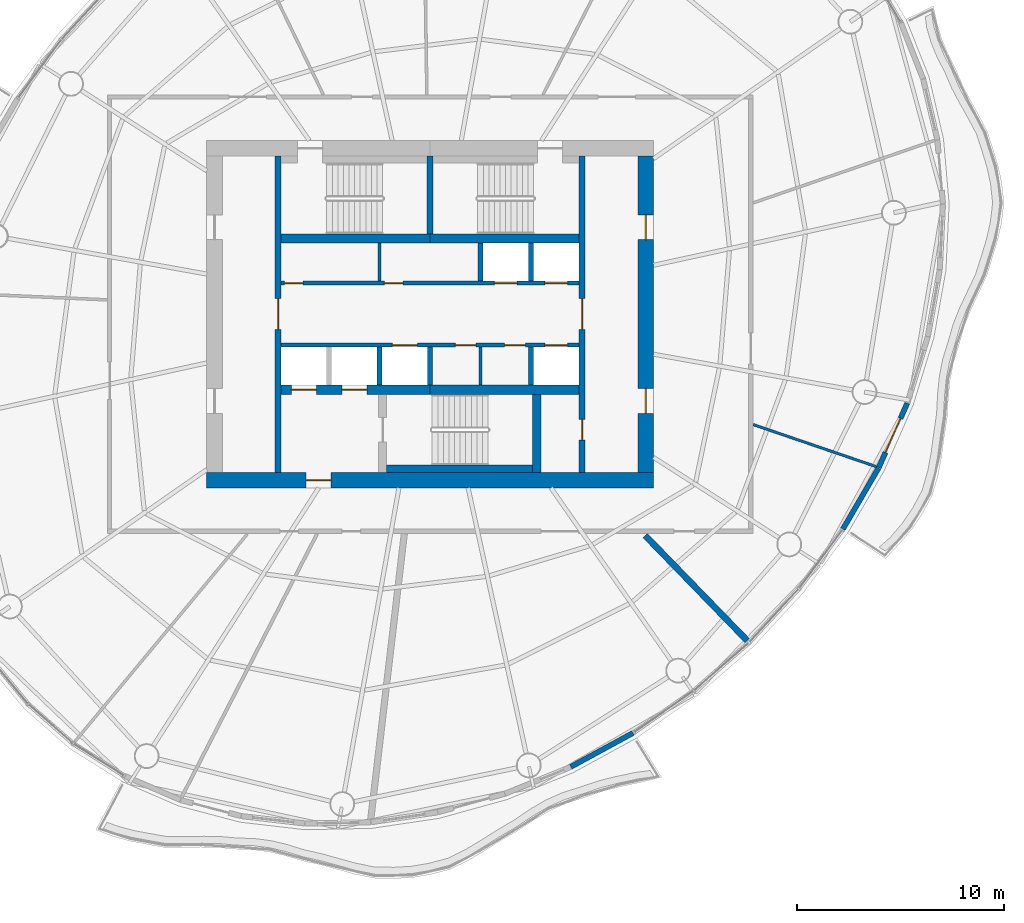
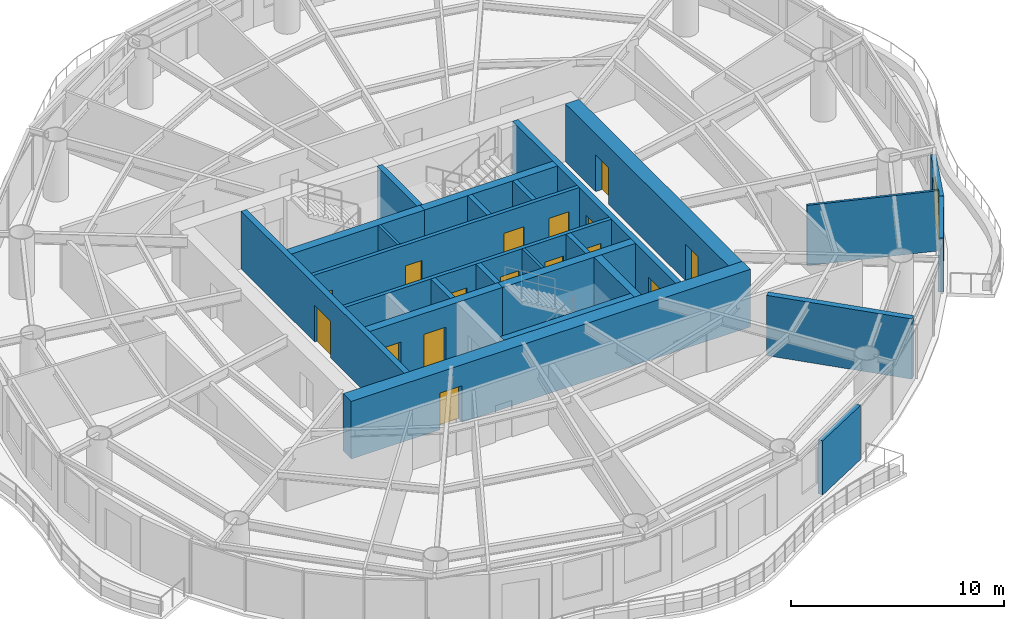
# One storey, part 9 of 14: 25 walls, 17 doors, 17 openings.
"""IFC4 building model written with IfcOpenShell, lengths in metres."""

from ifc_helpers import new_model, si_unit, direction, frame, frame_2d, origin, place, context, subcontext, project, spatial, rectangle, extrude, material, layer, layer_set, type_object, element, fill, save


model = new_model("IFC4")

# Units and contexts
model_context = context("Model", 3, precision=1e-05, world=origin(), true_north=direction((0.0, 1.0)))
body_context = subcontext(model_context, "Body", "Model", "MODEL_VIEW")
ifc_project = project(units=[si_unit("LENGTHUNIT", "METRE"), si_unit("AREAUNIT", "SQUARE_METRE"), si_unit("VOLUMEUNIT", "CUBIC_METRE"), si_unit("PLANEANGLEUNIT", "RADIAN"), si_unit("MASSUNIT", "GRAM", prefix="KILO")], contexts=[model_context])

# Site, building, storey
site_placement = place(None, origin())
site = spatial("IfcSite", under=ifc_project, at=site_placement, CompositionType="ELEMENT")
building_placement = place(site_placement, origin())
building = spatial("IfcBuilding", under=site, at=building_placement, Name="Vermilion Reach Broadcast Tower", CompositionType="ELEMENT")
storey_placement = place(building_placement, frame((0.0, 0.0, 210.10009765625)))
storey = spatial("IfcBuildingStorey", under=building, at=storey_placement, Name="L51", CompositionType="ELEMENT", Elevation=210.10009765625)

# Wall, opening, door
ifc_material_1 = material(Name="Concrete C60", Category="concrete")
ifc_layer_1 = layer(ifc_material_1, 0.300048828125)
ifc_layer_set_1 = layer_set([ifc_layer_1], Name="Core inner wall 300 mm Concrete C60")
wall_type_1 = type_object("IfcWallType", Name="Core inner wall 300 mm Concrete C60", PredefinedType="SHEAR", material=ifc_layer_set_1)
wall_1_placement = place(storey_placement, frame((-13.35009765625, 7.64990234375, 0.0), z_axis=(0.0, 0.0, 1.0), x_axis=(0.0, -1.0, 0.0)))
wall_1 = element("IfcWall", 1, at=wall_1_placement, inside=storey, type_object=wall_type_1, Name="L51 core wall ewW", PredefinedType="SHEAR", context=body_context, shape_type="SweptSolid", body=[
    extrude(rectangle(XDim=15.2998046875, YDim=0.300048828125, at=frame_2d((7.64990234375, 0.0))), origin(), (0.0, 0.0, 1.0), 3.2998046875),
])
opening_1_placement = place(wall_1_placement, frame((6.89990234375, 0.0, 0.0)))
opening_1 = element("IfcOpeningElement", 2, at=opening_1_placement, cuts=wall_1, Name="Opening D04", PredefinedType="OPENING", context=body_context, shape_type="SweptSolid", body=[
    extrude(rectangle(XDim=1.5, YDim=2.10009765625, at=frame_2d((0.75, 1.050048828125))), frame((0.0, 0.159912109375, 0.0), z_axis=(0.0, -1.0, 0.0), x_axis=(1.0, 0.0, 0.0)), (0.0, 0.0, 1.0), 0.320068359375),
])
ifc_material_2 = material(Name="Painted steel fire door", Category="steel")
door_type_1 = type_object("IfcDoorType", Name="Lift lobby door 1500 x 2100", OperationType="DOUBLE_DOOR_SINGLE_SWING", PredefinedType="NOTDEFINED", material=ifc_material_2)
door_1_placement = place(opening_1_placement, origin())
door_1 = element("IfcDoor", 3, at=door_1_placement, inside=storey, type_object=door_type_1, Name="L51 band door BW", OperationType="DOUBLE_DOOR_SINGLE_SWING", OverallHeight=2.10009765625, OverallWidth=1.5, PredefinedType="NOTDEFINED", context=body_context, shape_type="SweptSolid", body=[
    extrude(rectangle(XDim=1.5, YDim=2.10009765625, at=frame_2d((0.75, 1.050048828125))), frame((0.0, 0.02490234375, 0.0), z_axis=(0.0, -1.0, 0.0), x_axis=(1.0, 0.0, 0.0)), (0.0, 0.0, 1.0), 0.050048828125),
])
fill(opening_1, door_1)

# Wall, openings, doors
wall_2_placement = place(storey_placement, frame((1.35009765625, -7.64990234375, 0.0), z_axis=(0.0, 0.0, 1.0), x_axis=(0.0, 1.0, 0.0)))
wall_2 = element("IfcWall", 4, at=wall_2_placement, inside=storey, type_object=wall_type_1, Name="L51 core wall ewE", PredefinedType="SHEAR", context=body_context, shape_type="SweptSolid", body=[
    extrude(rectangle(XDim=15.2998046875, YDim=0.300048828125, at=frame_2d((7.64990234375, 0.0))), origin(), (0.0, 0.0, 1.0), 3.2998046875),
])
opening_2_placement = place(wall_2_placement, frame((1.56005859375, 0.0, 0.0)))
opening_2 = element("IfcOpeningElement", 5, at=opening_2_placement, cuts=wall_2, Name="Opening D05", PredefinedType="OPENING", context=body_context, shape_type="SweptSolid", body=[
    extrude(rectangle(XDim=1.0, YDim=2.10009765625, at=frame_2d((0.5, 1.050048828125))), frame((0.0, 0.159912109375, 0.0), z_axis=(0.0, -1.0, 0.0), x_axis=(1.0, 0.0, 0.0)), (0.0, 0.0, 1.0), 0.320068359375),
])
opening_3_placement = place(wall_2_placement, frame((6.89990234375, 0.0, 0.0)))
opening_3 = element("IfcOpeningElement", 6, at=opening_3_placement, cuts=wall_2, Name="Opening D04", PredefinedType="OPENING", context=body_context, shape_type="SweptSolid", body=[
    extrude(rectangle(XDim=1.5, YDim=2.10009765625, at=frame_2d((0.75, 1.050048828125))), frame((0.0, 0.159912109375, 0.0), z_axis=(0.0, -1.0, 0.0), x_axis=(1.0, 0.0, 0.0)), (0.0, 0.0, 1.0), 0.320068359375),
])
door_2_placement = place(opening_3_placement, origin())
door_2 = element("IfcDoor", 7, at=door_2_placement, inside=storey, type_object=door_type_1, Name="L51 band door BE", OperationType="DOUBLE_DOOR_SINGLE_SWING", OverallHeight=2.10009765625, OverallWidth=1.5, PredefinedType="NOTDEFINED", context=body_context, shape_type="SweptSolid", body=[
    extrude(rectangle(XDim=1.5, YDim=2.10009765625, at=frame_2d((0.75, 1.050048828125))), frame((0.0, 0.02490234375, 0.0), z_axis=(0.0, -1.0, 0.0), x_axis=(1.0, 0.0, 0.0)), (0.0, 0.0, 1.0), 0.050048828125),
])
fill(opening_3, door_2)
ifc_material_3 = material(Name="Timber door", Category="wood")
door_type_2 = type_object("IfcDoorType", Name="Room door 1000 x 2100", OperationType="NOTDEFINED", PredefinedType="NOTDEFINED", material=ifc_material_3)
door_3_placement = place(opening_2_placement, origin())
door_3 = element("IfcDoor", 8, at=door_3_placement, inside=storey, type_object=door_type_2, Name="L51 door SER", OperationType="SINGLE_SWING_LEFT", OverallHeight=2.10009765625, OverallWidth=1.0, PredefinedType="NOTDEFINED", context=body_context, shape_type="SweptSolid", body=[
    extrude(rectangle(XDim=1.0, YDim=2.10009765625, at=frame_2d((0.5, 1.050048828125))), frame((0.0, 0.02490234375, 0.0), z_axis=(0.0, -1.0, 0.0), x_axis=(1.0, 0.0, 0.0)), (0.0, 0.0, 1.0), 0.050048828125),
])
fill(opening_2, door_3)

# Walls
wall_3_placement = place(storey_placement, frame((-6.0, 3.8798828125, 0.0), z_axis=(0.0, 0.0, 1.0), x_axis=(0.0, 1.0, 0.0)))
element("IfcWall", 9, at=wall_3_placement, inside=storey, type_object=wall_type_1, Name="L51 core wall wc", PredefinedType="SHEAR", context=body_context, shape_type="SweptSolid", body=[
    extrude(rectangle(XDim=3.77001953125, YDim=0.300048828125, at=frame_2d((1.885009765625, 0.0))), origin(), (0.0, 0.0, 1.0), 3.2998046875),
])
ifc_material_4 = material(Name="Concrete C60", Category="concrete")
ifc_layer_2 = layer(ifc_material_4, 0.39990234375)
ifc_layer_set_2 = layer_set([ifc_layer_2], Name="Core inner wall 400 mm Concrete C60")
wall_type_2 = type_object("IfcWallType", Name="Core inner wall 400 mm Concrete C60", PredefinedType="SHEAR", material=ifc_layer_set_2)
wall_4_placement = place(storey_placement, frame((-0.85009765625, -3.8798828125, 0.0), z_axis=(0.0, 0.0, 1.0), x_axis=(0.0, -1.0, 0.0)))
element("IfcWall", 10, at=wall_4_placement, inside=storey, type_object=wall_type_2, Name="L51 core wall wb", PredefinedType="SHEAR", context=body_context, shape_type="SweptSolid", body=[
    extrude(rectangle(XDim=3.77001953125, YDim=0.39990234375, at=frame_2d((1.885009765625, 0.0))), origin(), (0.0, 0.0, 1.0), 3.2998046875),
])
ifc_material_5 = material(Name="Concrete C60", Category="concrete")
ifc_layer_3 = layer(ifc_material_5, 0.449951171875)
ifc_layer_set_3 = layer_set([ifc_layer_3], Name="Core inner wall 450 mm Concrete C60")
wall_type_3 = type_object("IfcWallType", Name="Core inner wall 450 mm Concrete C60", PredefinedType="SHEAR", material=ifc_layer_set_3)
for number, where, z_axis, x_axis, name in (
    (11, (-13.199951171875, 3.655029296875, 0.0), (0.0, 0.0, 1.0), (1.0, 0.0, 0.0), "L51 core wall winW"),
    (12, (-6.0, 3.655029296875, 0.0), (0.0, 0.0, 1.0), (1.0, 0.0, 0.0), "L51 core wall winE"),
):
    element("IfcWall", number, at=place(storey_placement, frame(where, z_axis=z_axis, x_axis=x_axis)), inside=storey, type_object=wall_type_3, Name=name, PredefinedType="SHEAR", context=body_context, shape_type="SweptSolid", body=[
        extrude(rectangle(XDim=7.199951171875, YDim=0.449951171875, at=frame_2d((3.60009765625, 0.0))), origin(), (0.0, 0.0, 1.0), 3.2998046875),
    ])

# Wall, openings, doors
wall_5_placement = place(storey_placement, frame((-13.199951171875, -3.655029296875, 0.0), z_axis=(0.0, 0.0, 1.0), x_axis=(1.0, 0.0, 0.0)))
wall_5 = element("IfcWall", 13, at=wall_5_placement, inside=storey, type_object=wall_type_3, Name="L51 core wall wisW", PredefinedType="SHEAR", context=body_context, shape_type="SweptSolid", body=[
    extrude(rectangle(XDim=7.199951171875, YDim=0.449951171875, at=frame_2d((3.60009765625, 0.0))), origin(), (0.0, 0.0, 1.0), 3.2998046875),
])
opening_4_placement = place(wall_5_placement, frame((0.495849609375, 0.0, 0.0)))
opening_4 = element("IfcOpeningElement", 14, at=opening_4_placement, cuts=wall_5, Name="Opening LD1", PredefinedType="OPENING", context=body_context, shape_type="SweptSolid", body=[
    extrude(rectangle(XDim=1.199951171875, YDim=2.10009765625, at=frame_2d((0.60009765625, 1.050048828125))), frame((0.0, 0.23486328125, 0.0), z_axis=(0.0, -1.0, 0.0), x_axis=(1.0, 0.0, 0.0)), (0.0, 0.0, 1.0), 0.469970703125),
])
opening_5_placement = place(wall_5_placement, frame((2.9375, 0.0, 0.0)))
opening_5 = element("IfcOpeningElement", 15, at=opening_5_placement, cuts=wall_5, Name="Opening LD1", PredefinedType="OPENING", context=body_context, shape_type="SweptSolid", body=[
    extrude(rectangle(XDim=1.199951171875, YDim=2.10009765625, at=frame_2d((0.60009765625, 1.050048828125))), frame((0.0, 0.23486328125, 0.0), z_axis=(0.0, -1.0, 0.0), x_axis=(1.0, 0.0, 0.0)), (0.0, 0.0, 1.0), 0.469970703125),
])
ifc_material_6 = material(Name="Stainless steel", Category="steel")
door_type_3 = type_object("IfcDoorType", Name="Landing door 1200 x 2100", OperationType="DOUBLE_DOOR_SLIDING", PredefinedType="NOTDEFINED", material=ifc_material_6)
door_4_placement = place(opening_4_placement, origin())
door_4 = element("IfcDoor", 16, at=door_4_placement, inside=storey, type_object=door_type_3, Name="L51 landing door FF1", OperationType="DOUBLE_DOOR_SLIDING", OverallHeight=2.10009765625, OverallWidth=1.199951171875, PredefinedType="NOTDEFINED", context=body_context, shape_type="SweptSolid", body=[
    extrude(rectangle(XDim=1.199951171875, YDim=2.10009765625, at=frame_2d((0.60009765625, 1.050048828125))), frame((0.0, 0.02490234375, 0.0), z_axis=(0.0, -1.0, 0.0), x_axis=(1.0, 0.0, 0.0)), (0.0, 0.0, 1.0), 0.050048828125),
])
fill(opening_4, door_4)
door_5_placement = place(opening_5_placement, origin())
door_5 = element("IfcDoor", 17, at=door_5_placement, inside=storey, type_object=door_type_3, Name="L51 landing door FF2", OperationType="DOUBLE_DOOR_SLIDING", OverallHeight=2.10009765625, OverallWidth=1.199951171875, PredefinedType="NOTDEFINED", context=body_context, shape_type="SweptSolid", body=[
    extrude(rectangle(XDim=1.199951171875, YDim=2.10009765625, at=frame_2d((0.60009765625, 1.050048828125))), frame((0.0, 0.02490234375, 0.0), z_axis=(0.0, -1.0, 0.0), x_axis=(1.0, 0.0, 0.0)), (0.0, 0.0, 1.0), 0.050048828125),
])
fill(opening_5, door_5)

# Wall
wall_6_placement = place(storey_placement, frame((-6.0, -3.655029296875, 0.0), z_axis=(0.0, 0.0, 1.0), x_axis=(1.0, 0.0, 0.0)))
element("IfcWall", 18, at=wall_6_placement, inside=storey, type_object=wall_type_3, Name="L51 core wall wisE", PredefinedType="SHEAR", context=body_context, shape_type="SweptSolid", body=[
    extrude(rectangle(XDim=7.199951171875, YDim=0.449951171875, at=frame_2d((3.60009765625, 0.0))), origin(), (0.0, 0.0, 1.0), 3.2998046875),
])

# Wall, opening, door
ifc_material_7 = material(Name="Concrete C60", Category="concrete")
ifc_layer_4 = layer(ifc_material_7, 0.75)
ifc_layer_set_4 = layer_set([ifc_layer_4], Name="Core outer wall 750 mm Concrete C60")
wall_type_4 = type_object("IfcWallType", Name="Core outer wall 750 mm Concrete C60", PredefinedType="SHEAR", material=ifc_layer_set_4)
wall_7_placement = place(storey_placement, frame((-16.800048828125, -8.02490234375, 0.0), z_axis=(0.0, 0.0, 1.0), x_axis=(1.0, 0.0, 0.0)))
wall_7 = element("IfcWall", 19, at=wall_7_placement, inside=storey, type_object=wall_type_4, Name="L51 core wall os", PredefinedType="SHEAR", context=body_context, shape_type="SweptSolid", body=[
    extrude(rectangle(XDim=21.60009765625, YDim=0.75, at=frame_2d((10.800048828125, 0.0))), origin(), (0.0, 0.0, 1.0), 3.2998046875),
])
opening_6_placement = place(wall_7_placement, frame((4.800048828125, 0.0, 0.0)))
opening_6 = element("IfcOpeningElement", 20, at=opening_6_placement, cuts=wall_7, Name="Opening D02", PredefinedType="OPENING", context=body_context, shape_type="SweptSolid", body=[
    extrude(rectangle(XDim=1.199951171875, YDim=2.10009765625, at=frame_2d((0.60009765625, 1.050048828125))), frame((0.0, 0.385009765625, 0.0), z_axis=(0.0, -1.0, 0.0), x_axis=(1.0, 0.0, 0.0)), (0.0, 0.0, 1.0), 0.77001953125),
])
ifc_material_8 = material(Name="Painted steel fire door", Category="steel")
door_type_4 = type_object("IfcDoorType", Name="Firefighting lobby door 1200 x 2100", OperationType="DOUBLE_DOOR_SINGLE_SWING", PredefinedType="NOTDEFINED", material=ifc_material_8)
door_6_placement = place(opening_6_placement, origin())
door_6 = element("IfcDoor", 21, at=door_6_placement, inside=storey, type_object=door_type_4, Name="L51 ffdoor door FFL", OperationType="DOUBLE_DOOR_SINGLE_SWING", OverallHeight=2.10009765625, OverallWidth=1.199951171875, PredefinedType="NOTDEFINED", context=body_context, shape_type="SweptSolid", body=[
    extrude(rectangle(XDim=1.199951171875, YDim=2.10009765625, at=frame_2d((0.60009765625, 1.050048828125))), frame((0.0, 0.02490234375, 0.0), z_axis=(0.0, -1.0, 0.0), x_axis=(1.0, 0.0, 0.0)), (0.0, 0.0, 1.0), 0.050048828125),
])
fill(opening_6, door_6)

# Wall, openings, doors
wall_8_placement = place(storey_placement, frame((4.425048828125, -7.64990234375, 0.0), z_axis=(0.0, 0.0, 1.0), x_axis=(0.0, 1.0, 0.0)))
wall_8 = element("IfcWall", 22, at=wall_8_placement, inside=storey, type_object=wall_type_4, Name="L51 core wall oe", PredefinedType="SHEAR", context=body_context, shape_type="SweptSolid", body=[
    extrude(rectangle(XDim=15.2998046875, YDim=0.75, at=frame_2d((7.64990234375, 0.0))), origin(), (0.0, 0.0, 1.0), 3.2998046875),
])
opening_7_placement = place(wall_8_placement, frame((2.85009765625, 0.0, 0.0)))
opening_7 = element("IfcOpeningElement", 23, at=opening_7_placement, cuts=wall_8, Name="Opening D03", PredefinedType="OPENING", context=body_context, shape_type="SweptSolid", body=[
    extrude(rectangle(XDim=1.199951171875, YDim=2.10009765625, at=frame_2d((0.60009765625, 1.050048828125))), frame((0.0, 0.385009765625, 0.0), z_axis=(0.0, -1.0, 0.0), x_axis=(1.0, 0.0, 0.0)), (0.0, 0.0, 1.0), 0.77001953125),
])
opening_8_placement = place(wall_8_placement, frame((11.25, 0.0, 0.0)))
opening_8 = element("IfcOpeningElement", 24, at=opening_8_placement, cuts=wall_8, Name="Opening D03", PredefinedType="OPENING", context=body_context, shape_type="SweptSolid", body=[
    extrude(rectangle(XDim=1.199951171875, YDim=2.10009765625, at=frame_2d((0.60009765625, 1.050048828125))), frame((0.0, 0.385009765625, 0.0), z_axis=(0.0, -1.0, 0.0), x_axis=(1.0, 0.0, 0.0)), (0.0, 0.0, 1.0), 0.77001953125),
])
ifc_material_9 = material(Name="Painted steel fire door", Category="steel")
door_type_5 = type_object("IfcDoorType", Name="Core lobby door 1200 x 2100", OperationType="DOUBLE_DOOR_SINGLE_SWING", PredefinedType="NOTDEFINED", material=ifc_material_9)
door_7_placement = place(opening_7_placement, origin())
door_7 = element("IfcDoor", 25, at=door_7_placement, inside=storey, type_object=door_type_5, Name="L51 slot door E0", OperationType="DOUBLE_DOOR_SINGLE_SWING", OverallHeight=2.10009765625, OverallWidth=1.199951171875, PredefinedType="NOTDEFINED", context=body_context, shape_type="SweptSolid", body=[
    extrude(rectangle(XDim=1.199951171875, YDim=2.10009765625, at=frame_2d((0.60009765625, 1.050048828125))), frame((0.0, 0.02490234375, 0.0), z_axis=(0.0, -1.0, 0.0), x_axis=(1.0, 0.0, 0.0)), (0.0, 0.0, 1.0), 0.050048828125),
])
fill(opening_7, door_7)
door_8_placement = place(opening_8_placement, origin())
door_8 = element("IfcDoor", 26, at=door_8_placement, inside=storey, type_object=door_type_5, Name="L51 slot door E1", OperationType="DOUBLE_DOOR_SINGLE_SWING", OverallHeight=2.10009765625, OverallWidth=1.199951171875, PredefinedType="NOTDEFINED", context=body_context, shape_type="SweptSolid", body=[
    extrude(rectangle(XDim=1.199951171875, YDim=2.10009765625, at=frame_2d((0.60009765625, 1.050048828125))), frame((0.0, 0.02490234375, 0.0), z_axis=(0.0, -1.0, 0.0), x_axis=(1.0, 0.0, 0.0)), (0.0, 0.0, 1.0), 0.050048828125),
])
fill(opening_8, door_8)

# Walls
ifc_material_10 = material(Name="Masonry block", Category="masonry")
ifc_layer_5 = layer(ifc_material_10, 0.14990234375)
ifc_layer_set_5 = layer_set([ifc_layer_5], Name="Core partition wall 150 mm Masonry block")
wall_type_5 = type_object("IfcWallType", Name="Core partition wall 150 mm Masonry block", PredefinedType="PARTITIONING", material=ifc_layer_set_5)
for number, where, z_axis, x_axis, name in (
    (27, (-8.441650390625, 1.60009765625, 0.0), (0.0, 0.0, 1.0), (0.0, 1.0, 0.0), "L51 core wall prN-2442"),
    (28, (-3.558349609375, -1.60009765625, 0.0), (0.0, 0.0, 1.0), (0.0, -1.0, 0.0), "L51 core wall prS2442"),
):
    element("IfcWall", number, at=place(storey_placement, frame(where, z_axis=z_axis, x_axis=x_axis)), inside=storey, type_object=wall_type_5, Name=name, PredefinedType="PARTITIONING", context=body_context, shape_type="SweptSolid", body=[
        extrude(rectangle(XDim=1.829833984375, YDim=0.14990234375, at=frame_2d((0.9150390625, 0.0))), origin(), (0.0, 0.0, 1.0), 3.2998046875),
    ])

# Wall, openings, doors
ifc_material_11 = material(Name="Concrete C50", Category="concrete")
ifc_layer_6 = layer(ifc_material_11, 0.199951171875)
ifc_layer_set_6 = layer_set([ifc_layer_6], Name="Core shaft wall 200 mm Concrete C50")
wall_type_6 = type_object("IfcWallType", Name="Core shaft wall 200 mm Concrete C50", PredefinedType="SHEAR", material=ifc_layer_set_6)
wall_9_placement = place(storey_placement, frame((-13.199951171875, 1.5, 0.0), z_axis=(0.0, 0.0, 1.0), x_axis=(1.0, 0.0, 0.0)))
wall_9 = element("IfcWall", 29, at=wall_9_placement, inside=storey, type_object=wall_type_6, Name="L51 core wall fn", PredefinedType="SHEAR", context=body_context, shape_type="SweptSolid", body=[
    extrude(rectangle(XDim=14.39990234375, YDim=0.199951171875, at=frame_2d((7.199951171875, 0.0))), origin(), (0.0, 0.0, 1.0), 3.2998046875),
])
opening_9_placement = place(wall_9_placement, frame((10.3125, 0.0, 0.0)))
opening_9 = element("IfcOpeningElement", 30, at=opening_9_placement, cuts=wall_9, Name="Opening LD2", PredefinedType="OPENING", context=body_context, shape_type="SweptSolid", body=[
    extrude(rectangle(XDim=1.10009765625, YDim=2.10009765625, at=frame_2d((0.550048828125, 1.050048828125))), frame((0.0, 0.10986328125, 0.0), z_axis=(0.0, -1.0, 0.0), x_axis=(1.0, 0.0, 0.0)), (0.0, 0.0, 1.0), 0.219970703125),
])
opening_10_placement = place(wall_9_placement, frame((12.754150390625, 0.0, 0.0)))
opening_10 = element("IfcOpeningElement", 31, at=opening_10_placement, cuts=wall_9, Name="Opening LD2", PredefinedType="OPENING", context=body_context, shape_type="SweptSolid", body=[
    extrude(rectangle(XDim=1.10009765625, YDim=2.10009765625, at=frame_2d((0.550048828125, 1.050048828125))), frame((0.0, 0.10986328125, 0.0), z_axis=(0.0, -1.0, 0.0), x_axis=(1.0, 0.0, 0.0)), (0.0, 0.0, 1.0), 0.219970703125),
])
opening_11_placement = place(wall_9_placement, frame((0.14990234375, 0.0, 0.0)))
opening_11 = element("IfcOpeningElement", 32, at=opening_11_placement, cuts=wall_9, Name="Opening D06", PredefinedType="OPENING", context=body_context, shape_type="SweptSolid", body=[
    extrude(rectangle(XDim=0.89990234375, YDim=2.10009765625, at=frame_2d((0.449951171875, 1.050048828125))), frame((0.0, 0.10986328125, 0.0), z_axis=(0.0, -1.0, 0.0), x_axis=(1.0, 0.0, 0.0)), (0.0, 0.0, 1.0), 0.219970703125),
])
opening_12_placement = place(wall_9_placement, frame((4.9833984375, 0.0, 0.0)))
opening_12 = element("IfcOpeningElement", 33, at=opening_12_placement, cuts=wall_9, Name="Opening D06", PredefinedType="OPENING", context=body_context, shape_type="SweptSolid", body=[
    extrude(rectangle(XDim=0.89990234375, YDim=2.10009765625, at=frame_2d((0.449951171875, 1.050048828125))), frame((0.0, 0.10986328125, 0.0), z_axis=(0.0, -1.0, 0.0), x_axis=(1.0, 0.0, 0.0)), (0.0, 0.0, 1.0), 0.219970703125),
])
ifc_material_12 = material(Name="Stainless steel", Category="steel")
door_type_6 = type_object("IfcDoorType", Name="Landing door 1100 x 2100", OperationType="DOUBLE_DOOR_SLIDING", PredefinedType="NOTDEFINED", material=ifc_material_12)
door_9_placement = place(opening_9_placement, origin())
door_9 = element("IfcDoor", 34, at=door_9_placement, inside=storey, type_object=door_type_6, Name="L51 landing door HR1", OperationType="DOUBLE_DOOR_SLIDING", OverallHeight=2.10009765625, OverallWidth=1.10009765625, PredefinedType="NOTDEFINED", context=body_context, shape_type="SweptSolid", body=[
    extrude(rectangle(XDim=1.10009765625, YDim=2.10009765625, at=frame_2d((0.550048828125, 1.050048828125))), frame((0.0, 0.02490234375, 0.0), z_axis=(0.0, -1.0, 0.0), x_axis=(1.0, 0.0, 0.0)), (0.0, 0.0, 1.0), 0.050048828125),
])
fill(opening_9, door_9)
door_10_placement = place(opening_10_placement, origin())
door_10 = element("IfcDoor", 35, at=door_10_placement, inside=storey, type_object=door_type_6, Name="L51 landing door HR2", OperationType="DOUBLE_DOOR_SLIDING", OverallHeight=2.10009765625, OverallWidth=1.10009765625, PredefinedType="NOTDEFINED", context=body_context, shape_type="SweptSolid", body=[
    extrude(rectangle(XDim=1.10009765625, YDim=2.10009765625, at=frame_2d((0.550048828125, 1.050048828125))), frame((0.0, 0.02490234375, 0.0), z_axis=(0.0, -1.0, 0.0), x_axis=(1.0, 0.0, 0.0)), (0.0, 0.0, 1.0), 0.050048828125),
])
fill(opening_10, door_10)
ifc_material_13 = material(Name="Timber door", Category="wood")
door_type_7 = type_object("IfcDoorType", Name="WC door 900 x 2100", OperationType="NOTDEFINED", PredefinedType="NOTDEFINED", material=ifc_material_13)
door_11_placement = place(opening_11_placement, origin())
door_11 = element("IfcDoor", 36, at=door_11_placement, inside=storey, type_object=door_type_7, Name="L51 door Female WC", OperationType="SINGLE_SWING_LEFT", OverallHeight=2.10009765625, OverallWidth=0.89990234375, PredefinedType="NOTDEFINED", context=body_context, shape_type="SweptSolid", body=[
    extrude(rectangle(XDim=0.89990234375, YDim=2.10009765625, at=frame_2d((0.449951171875, 1.050048828125))), frame((0.0, 0.02490234375, 0.0), z_axis=(0.0, -1.0, 0.0), x_axis=(1.0, 0.0, 0.0)), (0.0, 0.0, 1.0), 0.050048828125),
])
fill(opening_11, door_11)
door_12_placement = place(opening_12_placement, origin())
door_12 = element("IfcDoor", 37, at=door_12_placement, inside=storey, type_object=door_type_7, Name="L51 door Male WC", OperationType="SINGLE_SWING_LEFT", OverallHeight=2.10009765625, OverallWidth=0.89990234375, PredefinedType="NOTDEFINED", context=body_context, shape_type="SweptSolid", body=[
    extrude(rectangle(XDim=0.89990234375, YDim=2.10009765625, at=frame_2d((0.449951171875, 1.050048828125))), frame((0.0, 0.02490234375, 0.0), z_axis=(0.0, -1.0, 0.0), x_axis=(1.0, 0.0, 0.0)), (0.0, 0.0, 1.0), 0.050048828125),
])
fill(opening_12, door_12)

wall_10_placement = place(storey_placement, frame((1.199951171875, -1.5, 0.0), z_axis=(0.0, 0.0, 1.0), x_axis=(-1.0, 0.0, 0.0)))
wall_10 = element("IfcWall", 38, at=wall_10_placement, inside=storey, type_object=wall_type_6, Name="L51 core wall fs", PredefinedType="SHEAR", context=body_context, shape_type="SweptSolid", body=[
    extrude(rectangle(XDim=14.39990234375, YDim=0.199951171875, at=frame_2d((7.199951171875, 0.0))), origin(), (0.0, 0.0, 1.0), 3.2998046875),
])
opening_13_placement = place(wall_10_placement, frame((7.82080078125, 0.0, 0.0)))
opening_13 = element("IfcOpeningElement", 39, at=opening_13_placement, cuts=wall_10, Name="Opening LD1", PredefinedType="OPENING", context=body_context, shape_type="SweptSolid", body=[
    extrude(rectangle(XDim=1.199951171875, YDim=2.10009765625, at=frame_2d((0.60009765625, 1.050048828125))), frame((0.0, 0.10986328125, 0.0), z_axis=(0.0, -1.0, 0.0), x_axis=(1.0, 0.0, 0.0)), (0.0, 0.0, 1.0), 0.219970703125),
])
opening_14_placement = place(wall_10_placement, frame((0.5458984375, 0.0, 0.0)))
opening_14 = element("IfcOpeningElement", 40, at=opening_14_placement, cuts=wall_10, Name="Opening LD2", PredefinedType="OPENING", context=body_context, shape_type="SweptSolid", body=[
    extrude(rectangle(XDim=1.10009765625, YDim=2.10009765625, at=frame_2d((0.550048828125, 1.050048828125))), frame((0.0, 0.10986328125, 0.0), z_axis=(0.0, -1.0, 0.0), x_axis=(1.0, 0.0, 0.0)), (0.0, 0.0, 1.0), 0.219970703125),
])
opening_15_placement = place(wall_10_placement, frame((4.9833984375, 0.0, 0.0)))
opening_15 = element("IfcOpeningElement", 41, at=opening_15_placement, cuts=wall_10, Name="Opening D07", PredefinedType="OPENING", context=body_context, shape_type="SweptSolid", body=[
    extrude(rectangle(XDim=1.0, YDim=2.10009765625, at=frame_2d((0.5, 1.050048828125))), frame((0.0, 0.10986328125, 0.0), z_axis=(0.0, -1.0, 0.0), x_axis=(1.0, 0.0, 0.0)), (0.0, 0.0, 1.0), 0.219970703125),
])
opening_16_placement = place(wall_10_placement, frame((2.591552734375, 0.0, 0.0)))
opening_16 = element("IfcOpeningElement", 42, at=opening_16_placement, cuts=wall_10, Name="Opening D10", PredefinedType="OPENING", context=body_context, shape_type="SweptSolid", body=[
    extrude(rectangle(XDim=1.0, YDim=2.10009765625, at=frame_2d((0.5, 1.050048828125))), frame((0.0, 0.10986328125, 0.0), z_axis=(0.0, -1.0, 0.0), x_axis=(1.0, 0.0, 0.0)), (0.0, 0.0, 1.0), 0.219970703125),
])
ifc_material_14 = material(Name="Timber door", Category="wood")
door_type_8 = type_object("IfcDoorType", Name="Accessible WC door 1000 x 2100", OperationType="NOTDEFINED", PredefinedType="NOTDEFINED", material=ifc_material_14)
door_13_placement = place(opening_15_placement, origin())
door_13 = element("IfcDoor", 43, at=door_13_placement, inside=storey, type_object=door_type_8, Name="L51 door Accessible WC", OperationType="SINGLE_SWING_LEFT", OverallHeight=2.10009765625, OverallWidth=1.0, PredefinedType="NOTDEFINED", context=body_context, shape_type="SweptSolid", body=[
    extrude(rectangle(XDim=1.0, YDim=2.10009765625, at=frame_2d((0.5, 1.050048828125))), frame((0.0, 0.02490234375, 0.0), z_axis=(0.0, -1.0, 0.0), x_axis=(1.0, 0.0, 0.0)), (0.0, 0.0, 1.0), 0.050048828125),
])
fill(opening_15, door_13)
door_14_placement = place(opening_14_placement, origin())
door_14 = element("IfcDoor", 44, at=door_14_placement, inside=storey, type_object=door_type_6, Name="L51 landing door HR3", OperationType="DOUBLE_DOOR_SLIDING", OverallHeight=2.10009765625, OverallWidth=1.10009765625, PredefinedType="NOTDEFINED", context=body_context, shape_type="SweptSolid", body=[
    extrude(rectangle(XDim=1.10009765625, YDim=2.10009765625, at=frame_2d((0.550048828125, 1.050048828125))), frame((0.0, 0.02490234375, 0.0), z_axis=(0.0, -1.0, 0.0), x_axis=(1.0, 0.0, 0.0)), (0.0, 0.0, 1.0), 0.050048828125),
])
fill(opening_14, door_14)
door_15_placement = place(opening_13_placement, origin())
door_15 = element("IfcDoor", 45, at=door_15_placement, inside=storey, type_object=door_type_3, Name="L51 landing door SV1", OperationType="DOUBLE_DOOR_SLIDING", OverallHeight=2.10009765625, OverallWidth=1.199951171875, PredefinedType="NOTDEFINED", context=body_context, shape_type="SweptSolid", body=[
    extrude(rectangle(XDim=1.199951171875, YDim=2.10009765625, at=frame_2d((0.60009765625, 1.050048828125))), frame((0.0, 0.02490234375, 0.0), z_axis=(0.0, -1.0, 0.0), x_axis=(1.0, 0.0, 0.0)), (0.0, 0.0, 1.0), 0.050048828125),
])
fill(opening_13, door_15)
ifc_material_15 = material(Name="Timber door", Category="wood")
door_type_9 = type_object("IfcDoorType", Name="WC lobby door 1000 x 2100", OperationType="NOTDEFINED", PredefinedType="NOTDEFINED", material=ifc_material_15)
door_16_placement = place(opening_16_placement, origin())
door_16 = element("IfcDoor", 46, at=door_16_placement, inside=storey, type_object=door_type_9, Name="L51 door WC lobby", OperationType="SINGLE_SWING_LEFT", OverallHeight=2.10009765625, OverallWidth=1.0, PredefinedType="NOTDEFINED", context=body_context, shape_type="SweptSolid", body=[
    extrude(rectangle(XDim=1.0, YDim=2.10009765625, at=frame_2d((0.5, 1.050048828125))), frame((0.0, 0.02490234375, 0.0), z_axis=(0.0, -1.0, 0.0), x_axis=(1.0, 0.0, 0.0)), (0.0, 0.0, 1.0), 0.050048828125),
])
fill(opening_16, door_16)

# Walls
ifc_material_16 = material(Name="Concrete C50", Category="concrete")
ifc_layer_7 = layer(ifc_material_16, 0.25)
ifc_layer_set_7 = layer_set([ifc_layer_7], Name="Core shaft wall 250 mm Concrete C50")
wall_type_7 = type_object("IfcWallType", Name="Core shaft wall 250 mm Concrete C50", PredefinedType="SHEAR", material=ifc_layer_set_7)
for number, where, z_axis, x_axis, name in (
    (47, (-3.558349609375, 1.60009765625, 0.0), (0.0, 0.0, 1.0), (0.0, 1.0, 0.0), "L51 core wall psN3"),
    (48, (-1.11669921875, 1.60009765625, 0.0), (0.0, 0.0, 1.0), (0.0, 1.0, 0.0), "L51 core wall psN4"),
    (49, (-8.441650390625, -1.60009765625, 0.0), (0.0, 0.0, 1.0), (0.0, -1.0, 0.0), "L51 core wall psS1"),
    (50, (-6.0, -1.60009765625, 0.0), (0.0, 0.0, 1.0), (0.0, -1.0, 0.0), "L51 core wall psS2"),
    (51, (-1.11669921875, -1.60009765625, 0.0), (0.0, 0.0, 1.0), (0.0, -1.0, 0.0), "L51 core wall psS4"),
):
    element("IfcWall", number, at=place(storey_placement, frame(where, z_axis=z_axis, x_axis=x_axis)), inside=storey, type_object=wall_type_7, Name=name, PredefinedType="SHEAR", context=body_context, shape_type="SweptSolid", body=[
        extrude(rectangle(XDim=1.829833984375, YDim=0.25, at=frame_2d((0.9150390625, 0.0))), origin(), (0.0, 0.0, 1.0), 3.2998046875),
    ])
ifc_material_17 = material(Name="Concrete C60", Category="concrete")
ifc_layer_8 = layer(ifc_material_17, 0.35009765625)
ifc_layer_set_8 = layer_set([ifc_layer_8], Name="Core stair wall 350 mm Concrete C60")
wall_type_8 = type_object("IfcWallType", Name="Core stair wall 350 mm Concrete C60", PredefinedType="SHEAR", material=ifc_layer_set_8)
wall_11_placement = place(storey_placement, frame((-8.10009765625, -7.47509765625, 0.0), z_axis=(0.0, 0.0, 1.0), x_axis=(1.0, 0.0, 0.0)))
element("IfcWall", 52, at=wall_11_placement, inside=storey, type_object=wall_type_8, Name="L51 core wall l3", PredefinedType="SHEAR", context=body_context, shape_type="SweptSolid", body=[
    extrude(rectangle(XDim=7.050048828125, YDim=0.35009765625, at=frame_2d((3.52490234375, 0.0))), origin(), (0.0, 0.0, 1.0), 3.2998046875),
])
ifc_material_18 = material(Name="Fire-rated plasterboard on steel stud", Category="steel")
ifc_layer_9 = layer(ifc_material_18, 0.125)
ifc_layer_set_9 = layer_set([ifc_layer_9], Name="Partition 125 fire-rated stud")
wall_type_9 = type_object("IfcWallType", Name="Partition 125 fire-rated stud", PredefinedType="PARTITIONING", material=ifc_layer_set_9)
wall_12_placement = place(storey_placement, frame((15.57568359375, -7.376220703125, 0.0), z_axis=(0.0, 0.0, 1.0), x_axis=(-0.946227116855, 0.323503080863, 0.0)))
element("IfcWall", 53, at=wall_12_placement, inside=storey, type_object=wall_type_9, Name="Partition 51.09", PredefinedType="PARTITIONING", context=body_context, shape_type="SweptSolid", body=[
    extrude(rectangle(XDim=6.2939453125, YDim=0.125, at=frame_2d((3.14697265625, 0.0))), origin(), (0.0, 0.0, 1.0), 3.449951171875),
])
ifc_material_19 = material(Name="Double-leaf plasterboard on isolated steel stud", Category="steel")
ifc_layer_10 = layer(ifc_material_19, 0.300048828125)
ifc_layer_set_10 = layer_set([ifc_layer_10], Name="Partition 300 acoustic double leaf")
wall_type_10 = type_object("IfcWallType", Name="Partition 300 acoustic double leaf", PredefinedType="PARTITIONING", material=ifc_layer_set_10)
wall_13_placement = place(storey_placement, frame((9.33203125, -15.788330078125, 0.0), z_axis=(0.0, 0.0, 1.0), x_axis=(-0.696678313938, 0.717383667843, 0.0)))
element("IfcWall", 54, at=wall_13_placement, inside=storey, type_object=wall_type_10, Name="Partition 51.08", PredefinedType="PARTITIONING", context=body_context, shape_type="SweptSolid", body=[
    extrude(rectangle(XDim=7.08642578125, YDim=0.300048828125, at=frame_2d((3.543212890625, 0.0))), origin(), (0.0, 0.0, 1.0), 3.449951171875),
])
ifc_material_20 = material(Name="Terracotta rainscreen cladding", Category="masonry")
ifc_layer_11 = layer(ifc_material_20, 0.25)
ifc_layer_set_11 = layer_set([ifc_layer_11], Name="Terracotta rainscreen wall 250")
wall_type_11 = type_object("IfcWallType", Name="Terracotta rainscreen wall 250", PredefinedType="SOLIDWALL", material=ifc_layer_set_11)
for number, where, z_axis, x_axis, name in (
    (55, (0.803955078125, -21.89013671875, 0.0), (0.0, 0.0, 1.0), (0.877865563138, 0.478907144503, 0.0), "External wall L51 33"),
    (56, (13.9560546875, -10.395751953125, 0.0), (0.0, 0.0, 1.0), (0.504456760021, 0.863436956164, 0.0), "External wall L51 38"),
):
    element("IfcWall", number, at=place(storey_placement, frame(where, z_axis=z_axis, x_axis=x_axis)), inside=storey, type_object=wall_type_11, Name=name, PredefinedType="SOLIDWALL", context=body_context, shape_type="SweptSolid", body=[
        extrude(rectangle(XDim=3.420166015625, YDim=0.25, at=frame_2d((1.7099609375, 0.0))), origin(), (0.0, 0.0, 1.0), 3.099853515625),
    ])

# Wall, opening, door
wall_14_placement = place(storey_placement, frame((15.69140625, -7.423095703125, 0.0), z_axis=(0.0, 0.0, 1.0), x_axis=(0.404116447322, 0.914707547254, 0.0)))
wall_14 = element("IfcWall", 57, at=wall_14_placement, inside=storey, type_object=wall_type_11, Name="External wall L51 39", PredefinedType="SOLIDWALL", context=body_context, shape_type="SweptSolid", body=[
    extrude(rectangle(XDim=3.4072265625, YDim=0.25, at=frame_2d((1.70361328125, 0.0))), origin(), (0.0, 0.0, 1.0), 3.099853515625),
])
opening_17_placement = place(wall_14_placement, frame((0.803955078125, 0.0, 0.0)))
opening_17 = element("IfcOpeningElement", 58, at=opening_17_placement, cuts=wall_14, Name="Opening D70", PredefinedType="OPENING", context=body_context, shape_type="SweptSolid", body=[
    extrude(rectangle(XDim=1.800048828125, YDim=2.39990234375, at=frame_2d((0.89990234375, 1.199951171875))), frame((0.0, 0.135009765625, 0.0), z_axis=(0.0, -1.0, 0.0), x_axis=(1.0, 0.0, 0.0)), (0.0, 0.0, 1.0), 0.27001953125),
])
ifc_material_21 = material(Name="Low-e laminated clear glass in aluminium frame", Category="aluminium")
door_type_10 = type_object("IfcDoorType", Name="Balcony sliding door 1800 x 2400", OperationType="DOUBLE_DOOR_SLIDING", PredefinedType="DOOR", material=ifc_material_21)
door_17_placement = place(opening_17_placement, origin())
door_17 = element("IfcDoor", 59, at=door_17_placement, inside=storey, type_object=door_type_10, Name="Balcony door L51 run 10", OperationType="DOUBLE_DOOR_SLIDING", OverallHeight=2.39990234375, OverallWidth=1.800048828125, PredefinedType="DOOR", context=body_context, shape_type="SweptSolid", body=[
    extrude(rectangle(XDim=1.800048828125, YDim=2.39990234375, at=frame_2d((0.89990234375, 1.199951171875))), frame((0.0, 0.02490234375, 0.0), z_axis=(0.0, -1.0, 0.0), x_axis=(1.0, 0.0, 0.0)), (0.0, 0.0, 1.0), 0.050048828125),
])
fill(opening_17, door_17)

save(model, "model.ifc")
